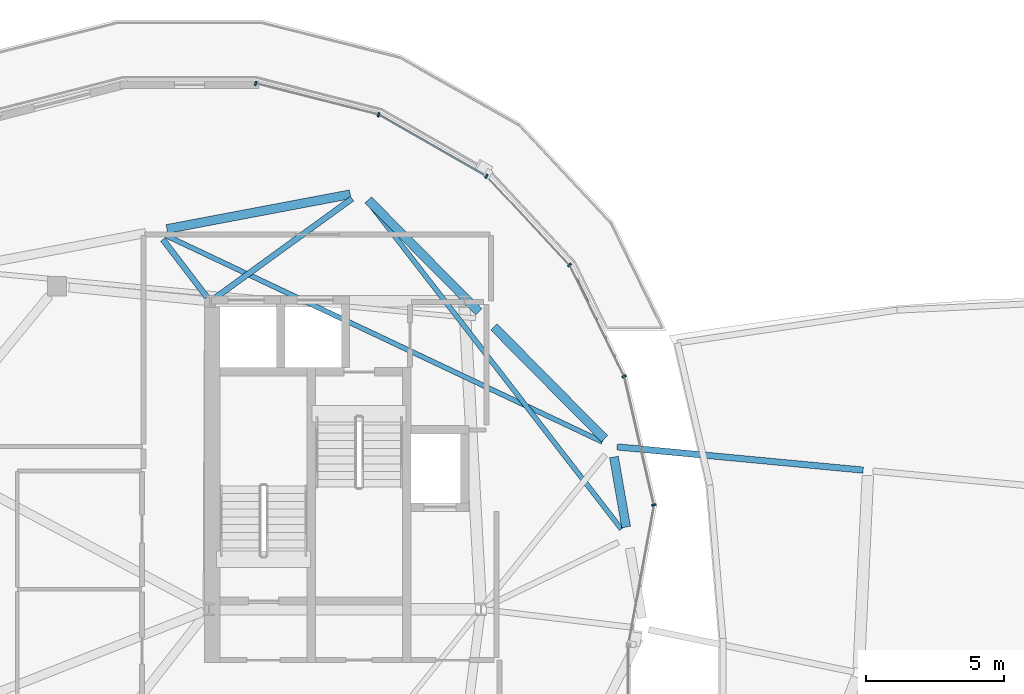
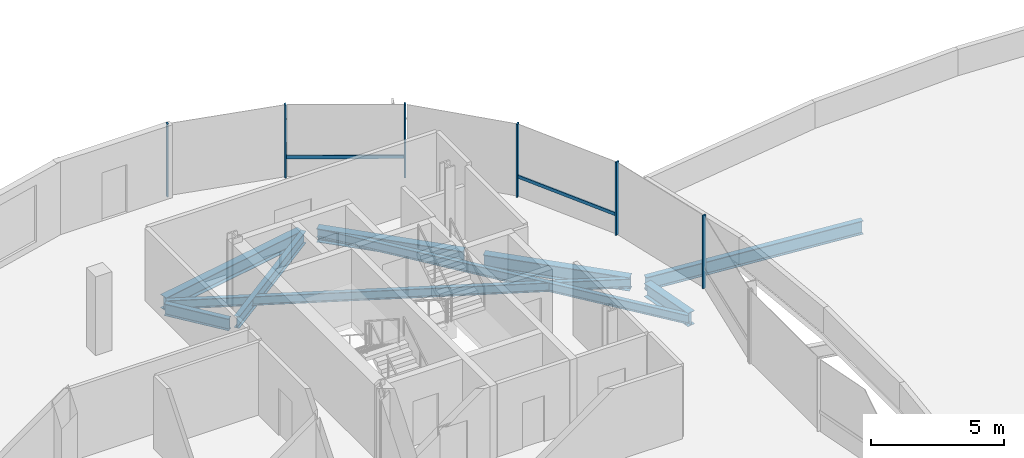
# One storey, part 10 of 31: 9 beams, 8 members, 1 element without a shape of its own.
"""IFC4 building model written with IfcOpenShell, lengths in metres."""

from ifc_helpers import new_model, si_unit, direction, frame, origin, origin_2d, place, context, subcontext, project, spatial, rectangle, i_section, extrude, material, material_profile, profile_set, type_object, element, aggregate, save


model = new_model("IFC4")

# Units and contexts
model_context = context("Model", 3, precision=1e-05, world=origin(), true_north=direction((0.0, 1.0)))
body_context = subcontext(model_context, "Body", "Model", "MODEL_VIEW")
ifc_project = project(units=[si_unit("LENGTHUNIT", "METRE"), si_unit("AREAUNIT", "SQUARE_METRE"), si_unit("VOLUMEUNIT", "CUBIC_METRE"), si_unit("PLANEANGLEUNIT", "RADIAN"), si_unit("MASSUNIT", "GRAM", prefix="KILO"), si_unit("THERMODYNAMICTEMPERATUREUNIT", "KELVIN"), si_unit("POWERUNIT", "WATT")], contexts=[model_context])

# Site, building, storey
site_placement = place(None, origin())
site = spatial("IfcSite", under=ifc_project, at=site_placement, CompositionType="ELEMENT")
building_placement = place(site_placement, origin())
building = spatial("IfcBuilding", under=site, at=building_placement, Name="Cundina Bronze Exchange", CompositionType="ELEMENT")
storey_placement = place(building_placement, frame((0.0, 0.0, 275.60009765625)))
storey = spatial("IfcBuildingStorey", under=building, at=storey_placement, Name="L73", CompositionType="ELEMENT", Elevation=275.60009765625)

# Beams
ifc_material_1 = material(Name="Steel ASTM A992 Grade 50", Category="steel")
ifc_material_profile_1 = material_profile(ifc_material_1, i_section(OverallWidth=0.2119140625, OverallDepth=0.5439453125, WebThickness=0.01318359375, FlangeThickness=0.021240234375, FilletRadius=0.013916015625, at=origin_2d()), Name="W21X83", Category="steel")
ifc_profile_set_1 = profile_set([ifc_material_profile_1], Name="Steel ASTM A992 Grade 50")
beam_type_1 = type_object("IfcBeamType", Name="BM-FLR-W21A", PredefinedType="BEAM", material=ifc_profile_set_1)
beam_1_placement = place(storey_placement, frame((-31.09130859375, 15.1650390625, -0.531982421875), z_axis=(0.809701976545, 0.586841298119, 0.0), x_axis=(-0.586841298119, 0.809701976545, 0.0)))
element("IfcBeam", 1, at=beam_1_placement, inside=storey, type_object=beam_type_1, Name="L73 Leg W Radial Floor Beam 04", PredefinedType="BEAM", context=body_context, shape_type="SweptSolid", body=[
    extrude(i_section(OverallWidth=0.2119140625, OverallDepth=0.5439453125, WebThickness=0.01318359375, FlangeThickness=0.021240234375, FilletRadius=0.013916015625, at=origin_2d()), origin(), (0.0, 0.0, 1.0), 6.146728515625),
])
beam_2_placement = place(storey_placement, frame((-31.369140625, 15.205810546875, -0.531982421875), z_axis=(-0.607470812638, 0.794341999263, 0.0), x_axis=(-0.794341999263, -0.607470812638, 0.0)))
element("IfcBeam", 2, at=beam_2_placement, inside=storey, type_object=beam_type_1, Name="L73 Leg W Radial Floor Beam 05", PredefinedType="BEAM", context=body_context, shape_type="SweptSolid", body=[
    extrude(i_section(OverallWidth=0.2119140625, OverallDepth=0.5439453125, WebThickness=0.01318359375, FlangeThickness=0.021240234375, FilletRadius=0.013916015625, at=origin_2d()), origin(), (0.0, 0.0, 1.0), 2.6259765625),
])
ifc_material_profile_2 = material_profile(ifc_material_1, i_section(OverallWidth=0.22998046875, OverallDepth=0.616943359375, WebThickness=0.01318359375, FlangeThickness=0.022216796875, FilletRadius=0.013916015625, at=origin_2d()), Name="W24X94", Category="steel")
ifc_profile_set_2 = profile_set([ifc_material_profile_2], Name="Steel ASTM A992 Grade 50")
beam_type_2 = type_object("IfcBeamType", Name="BM-FLR-W24B", PredefinedType="BEAM", material=ifc_profile_set_2)
beam_3_placement = place(storey_placement, frame((-16.520751953125, 9.783203125, -0.57861328125), z_axis=(0.995572136276, -0.094000646124, 0.0), x_axis=(0.094000646124, 0.995572136276, 0.0)))
element("IfcBeam", 3, at=beam_3_placement, inside=storey, type_object=beam_type_2, Name="L73 Sky-Gate Longitudinal Girder Y3-P1", PredefinedType="BEAM", context=body_context, shape_type="SweptSolid", body=[
    extrude(i_section(OverallWidth=0.22998046875, OverallDepth=0.616943359375, WebThickness=0.01318359375, FlangeThickness=0.022216796875, FilletRadius=0.013916015625, at=origin_2d()), origin(), (0.0, 0.0, 1.0), 8.949951171875),
])
ifc_material_profile_3 = material_profile(ifc_material_1, i_section(OverallWidth=0.178955078125, OverallDepth=0.409912109375, WebThickness=0.0087890625, FlangeThickness=0.014404296875, FilletRadius=0.010986328125, at=origin_2d()), Name="W16X45", Category="steel")
ifc_profile_set_3 = profile_set([ifc_material_profile_3], Name="Steel ASTM A992 Grade 50")
beam_type_3 = type_object("IfcBeamType", Name="BM-JST-W16", PredefinedType="JOIST", material=ifc_profile_set_3)
beam_4_placement = place(storey_placement, frame((-16.362548828125, 6.806884765625, -0.465087890625), z_axis=(-0.612077855816, 0.790797507849, 0.0), x_axis=(-0.790797507849, -0.612077855816, 0.0)))
element("IfcBeam", 4, at=beam_4_placement, inside=storey, type_object=beam_type_3, Name="L73 Leg W Lobe Floor Joist 01-04", PredefinedType="JOIST", context=body_context, shape_type="SweptSolid", body=[
    extrude(i_section(OverallWidth=0.178955078125, OverallDepth=0.409912109375, WebThickness=0.0087890625, FlangeThickness=0.014404296875, FilletRadius=0.010986328125, at=origin_2d()), origin(), (0.0, 0.0, 1.0), 15.03076171875),
])
beam_5_placement = place(storey_placement, frame((-17.05078125, 9.9658203125, -0.465087890625), z_axis=(-0.904073247994, 0.427377540661, 0.0), x_axis=(-0.427377540661, -0.904073247994, 0.0)))
element("IfcBeam", 5, at=beam_5_placement, inside=storey, type_object=beam_type_3, Name="L73 Leg W Lobe Floor Joist 02-05", PredefinedType="JOIST", context=body_context, shape_type="SweptSolid", body=[
    extrude(i_section(OverallWidth=0.178955078125, OverallDepth=0.409912109375, WebThickness=0.0087890625, FlangeThickness=0.014404296875, FilletRadius=0.010986328125, at=origin_2d()), origin(), (0.0, 0.0, 1.0), 17.474609375),
])
ifc_material_profile_4 = material_profile(ifc_material_1, i_section(OverallWidth=0.324951171875, OverallDepth=0.615966796875, WebThickness=0.013916015625, FlangeThickness=0.021484375, FilletRadius=0.01611328125, at=origin_2d()), Name="W24X117", Category="steel")
ifc_profile_set_4 = profile_set([ifc_material_profile_4], Name="Steel ASTM A992 Grade 50")
beam_type_4 = type_object("IfcBeamType", Name="BM-RING-W24", PredefinedType="USERDEFINED", material=ifc_profile_set_4)
beam_6_placement = place(storey_placement, frame((-16.191650390625, 6.882080078125, -0.568115234375), z_axis=(-0.171593362587, 0.985167862811, 0.0), x_axis=(-0.985167862811, -0.171593362587, 0.0)))
element("IfcBeam", 6, at=beam_6_placement, inside=storey, type_object=beam_type_4, Name="L73 W Perimeter Ring Girder 01", ObjectType="GIRDER", PredefinedType="USERDEFINED", context=body_context, shape_type="SweptSolid", body=[
    extrude(i_section(OverallWidth=0.324951171875, OverallDepth=0.615966796875, WebThickness=0.013916015625, FlangeThickness=0.021484375, FilletRadius=0.01611328125, at=origin_2d()), origin(), (0.0, 0.0, 1.0), 2.57373046875),
])
beam_7_placement = place(storey_placement, frame((-16.972900390625, 10.075927734375, -0.568115234375), z_axis=(-0.703237257446, 0.710955244541, 0.0), x_axis=(-0.710955244541, -0.703237257446, 0.0)))
element("IfcBeam", 7, at=beam_7_placement, inside=storey, type_object=beam_type_4, Name="L73 W Perimeter Ring Girder 02", ObjectType="GIRDER", PredefinedType="USERDEFINED", context=body_context, shape_type="SweptSolid", body=[
    extrude(i_section(OverallWidth=0.324951171875, OverallDepth=0.615966796875, WebThickness=0.013916015625, FlangeThickness=0.021484375, FilletRadius=0.01611328125, at=origin_2d()), origin(), (0.0, 0.0, 1.0), 5.69384765625),
])
beam_8_placement = place(storey_placement, frame((-21.52294921875, 14.67578125, -0.568115234375), z_axis=(-0.703215820204, 0.710976448425, 0.0), x_axis=(-0.710976448425, -0.703215820204, 0.0)))
element("IfcBeam", 8, at=beam_8_placement, inside=storey, type_object=beam_type_4, Name="L73 W Perimeter Ring Girder 03", ObjectType="GIRDER", PredefinedType="USERDEFINED", context=body_context, shape_type="SweptSolid", body=[
    extrude(i_section(OverallWidth=0.324951171875, OverallDepth=0.615966796875, WebThickness=0.013916015625, FlangeThickness=0.021484375, FilletRadius=0.01611328125, at=origin_2d()), origin(), (0.0, 0.0, 1.0), 5.694091796875),
])
beam_9_placement = place(storey_placement, frame((-26.18115234375, 18.927978515625, -0.568115234375), z_axis=(-0.982568104771, -0.185902984072, 0.0), x_axis=(0.185902984072, -0.982568104771, 0.0)))
element("IfcBeam", 9, at=beam_9_placement, inside=storey, type_object=beam_type_4, Name="L73 W Perimeter Ring Girder 04", ObjectType="GIRDER", PredefinedType="USERDEFINED", context=body_context, shape_type="SweptSolid", body=[
    extrude(i_section(OverallWidth=0.324951171875, OverallDepth=0.615966796875, WebThickness=0.013916015625, FlangeThickness=0.021484375, FilletRadius=0.01611328125, at=origin_2d()), origin(), (0.0, 0.0, 1.0), 6.75537109375),
])

# Curtain wall, members
ifc_material_2 = material(Name="Anodised Bronze Aluminium 6063-T6", Category="aluminium")
curtain_wall_type = type_object("IfcCurtainWallType", Name="CWS-CRN-TMD", PredefinedType="NOTDEFINED", material=ifc_material_2)
curtain_wall_placement = place(storey_placement, origin())
curtain_wall = element("IfcCurtainWall", 10, at=curtain_wall_placement, inside=storey, type_object=curtain_wall_type, Name="L73 CW-07 Curtain Wall Run CWR-L73-W1", PredefinedType="NOTDEFINED")
ifc_material_profile_5 = material_profile(ifc_material_2, rectangle(XDim=0.06494140625, YDim=0.159912109375, at=origin_2d()), Name="AL65X160", Category="aluminium")
ifc_profile_set_5 = profile_set([ifc_material_profile_5], Name="Anodised Bronze Aluminium 6063-T6")
member_type_1 = type_object("IfcMemberType", Name="CWM-MUL-160", PredefinedType="MULLION", material=ifc_profile_set_5)
member_1_placement = place(storey_placement, frame((-15.185791015625, 7.683837890625, 0.0), z_axis=(0.0, 0.0, 1.0), x_axis=(-0.223930573241, 0.974605098677, 0.0)))
member_1 = element("IfcMember", 11, at=member_1_placement, type_object=member_type_1, Name="CW-07 Mullion 2", PredefinedType="MULLION", context=body_context, shape_type="SweptSolid", body=[
    extrude(rectangle(XDim=0.06494140625, YDim=0.159912109375, at=origin_2d()), origin(), (0.0, 0.0, 1.0), 3.33984375),
])
member_2_placement = place(storey_placement, frame((-16.263916015625, 12.33984375, 0.0), z_axis=(0.0, 0.0, 1.0), x_axis=(-0.439468903432, 0.898257804261, 0.0)))
member_2 = element("IfcMember", 12, at=member_2_placement, type_object=member_type_1, Name="CW-07 Mullion 3", PredefinedType="MULLION", context=body_context, shape_type="SweptSolid", body=[
    extrude(rectangle(XDim=0.06494140625, YDim=0.159912109375, at=origin_2d()), origin(), (0.0, 0.0, 1.0), 3.33984375),
])
member_3_placement = place(storey_placement, frame((-18.2451171875, 16.3701171875, 0.0), z_axis=(0.0, 0.0, 1.0), x_axis=(-0.681487612702, 0.731829648029, 0.0)))
member_3 = element("IfcMember", 13, at=member_3_placement, type_object=member_type_1, Name="CW-07 Mullion 4", PredefinedType="MULLION", context=body_context, shape_type="SweptSolid", body=[
    extrude(rectangle(XDim=0.06494140625, YDim=0.159912109375, at=origin_2d()), origin(), (0.0, 0.0, 1.0), 3.33984375),
])
member_4_placement = place(storey_placement, frame((-21.24609375, 19.579833984375, 0.0), z_axis=(0.0, 0.0, 1.0), x_axis=(-0.867418288651, 0.497579654441, 0.0)))
member_4 = element("IfcMember", 14, at=member_4_placement, type_object=member_type_1, Name="CW-07 Mullion 5", PredefinedType="MULLION", context=body_context, shape_type="SweptSolid", body=[
    extrude(rectangle(XDim=0.06494140625, YDim=0.159912109375, at=origin_2d()), origin(), (0.0, 0.0, 1.0), 3.33984375),
])
member_5_placement = place(storey_placement, frame((-25.15576171875, 21.812255859375, 0.0), z_axis=(0.0, 0.0, 1.0), x_axis=(-0.969058826108, 0.246829883811, 0.0)))
member_5 = element("IfcMember", 15, at=member_5_placement, type_object=member_type_1, Name="CW-07 Mullion 6", PredefinedType="MULLION", context=body_context, shape_type="SweptSolid", body=[
    extrude(rectangle(XDim=0.06494140625, YDim=0.159912109375, at=origin_2d()), origin(), (0.0, 0.0, 1.0), 3.33984375),
])
member_6_placement = place(storey_placement, frame((-29.606689453125, 22.94580078125, 0.0), z_axis=(0.0, 0.0, 1.0), x_axis=(-0.969058826108, 0.246829883811, 0.0)))
member_6 = element("IfcMember", 16, at=member_6_placement, type_object=member_type_1, Name="CW-07 End Mullion", PredefinedType="MULLION", context=body_context, shape_type="SweptSolid", body=[
    extrude(rectangle(XDim=0.06494140625, YDim=0.159912109375, at=origin_2d()), origin(), (0.0, 0.0, 1.0), 3.33984375),
])
ifc_material_profile_6 = material_profile(ifc_material_2, rectangle(XDim=0.06494140625, YDim=0.14990234375, at=origin_2d()), Name="AL65X150", Category="aluminium")
ifc_profile_set_6 = profile_set([ifc_material_profile_6], Name="Anodised Bronze Aluminium 6063-T6")
member_type_2 = type_object("IfcMemberType", Name="CWM-TRN-150", PredefinedType="USERDEFINED", material=ifc_profile_set_6)
member_7_placement = place(storey_placement, frame((-16.279541015625, 12.3720703125, 0.919921875), z_axis=(-0.439416660299, 0.898283362114, 0.0), x_axis=(-0.898283362114, -0.439416660299, 0.0)))
member_7 = element("IfcMember", 17, at=member_7_placement, type_object=member_type_2, Name="CW-07 Spandrel Transom 3", ObjectType="TRANSOM", PredefinedType="USERDEFINED", context=body_context, shape_type="SweptSolid", body=[
    extrude(rectangle(XDim=0.06494140625, YDim=0.14990234375, at=origin_2d()), origin(), (0.0, 0.0, 1.0), 4.430908203125),
])
member_8_placement = place(storey_placement, frame((-21.277099609375, 19.59765625, 0.919921875), z_axis=(-0.867467147117, 0.497494470997, 0.0), x_axis=(-0.497494470997, -0.867467147117, 0.0)))
member_8 = element("IfcMember", 18, at=member_8_placement, type_object=member_type_2, Name="CW-07 Spandrel Transom 5", ObjectType="TRANSOM", PredefinedType="USERDEFINED", context=body_context, shape_type="SweptSolid", body=[
    extrude(rectangle(XDim=0.06494140625, YDim=0.14990234375, at=origin_2d()), origin(), (0.0, 0.0, 1.0), 4.439697265625),
])
aggregate(curtain_wall, [member_1, member_2, member_7, member_3, member_4, member_8, member_5, member_6])

save(model, "model.ifc")
